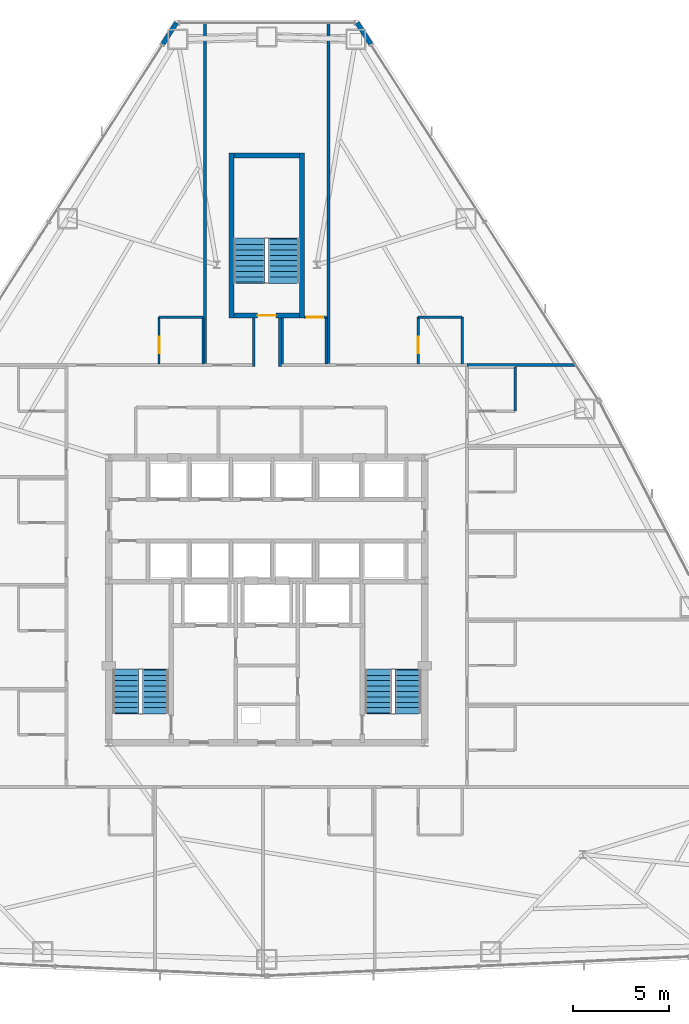
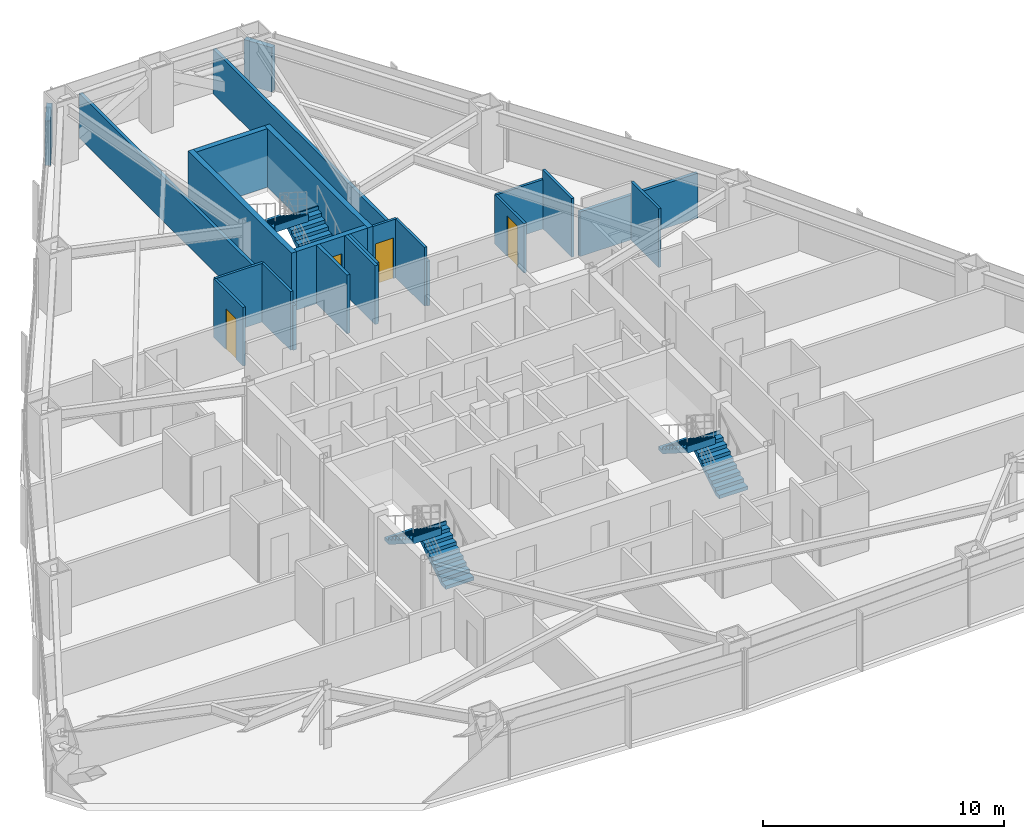
# One storey, part 12 of 13: 21 walls, 6 stair flights, 4 doors, 4 openings, 3 elements without a shape of their own.
"""IFC4 building model written with IfcOpenShell, lengths in metres."""

from ifc_helpers import new_model, si_unit, direction, frame, frame_2d, origin, place, context, subcontext, project, spatial, polyline, rectangle, outline, extrude, material, layer, layer_set, type_object, element, fill, aggregate, save


model = new_model("IFC4")

# Units and contexts
model_context = context("Model", 3, precision=1e-05, world=origin(), true_north=direction((0.0, 1.0)))
body_context = subcontext(model_context, "Body", "Model", "MODEL_VIEW")
ifc_project = project(units=[si_unit("LENGTHUNIT", "METRE"), si_unit("AREAUNIT", "SQUARE_METRE"), si_unit("VOLUMEUNIT", "CUBIC_METRE"), si_unit("PLANEANGLEUNIT", "RADIAN"), si_unit("MASSUNIT", "GRAM", prefix="KILO")], contexts=[model_context])

# Site, building, storey
site_placement = place(None, origin())
site = spatial("IfcSite", under=ifc_project, at=site_placement, CompositionType="ELEMENT")
building_placement = place(site_placement, origin())
building = spatial("IfcBuilding", under=site, at=building_placement, Name="Varakhsha Concourse Tower", CompositionType="ELEMENT")
storey_placement = place(building_placement, frame((0.0, 0.0, 86.199951171875)))
storey = spatial("IfcBuildingStorey", under=building, at=storey_placement, Name="L24", CompositionType="ELEMENT", Elevation=86.199951171875)

# Walls
ifc_material_1 = material(Name="Concrete fc 45 MPa", Category="concrete")
ifc_layer_1 = layer(ifc_material_1, 0.239990234375, Name="WL-EXT-CRN-240")
ifc_layer_set_1 = layer_set([ifc_layer_1], Name="Concrete fc 45 MPa")
wall_type_1 = type_object("IfcWallType", Name="WL-EXT-CRN-240", PredefinedType="SHEAR", material=ifc_layer_set_1)
for number, where, z_axis, x_axis, name in (
    (1, (35.313720703125, 53.76904296875, 0.0), (0.0, 0.0, 1.0), (-0.538937912301, -0.842345491283, 0.0), "L24 Wind-Corner Shoulder Wall F2"),
    (2, (45.395751953125, 52.66015625, 0.0), (0.0, 0.0, 1.0), (-0.538937912301, 0.842345491283, 0.0), "L24 Wind-Corner Shoulder Wall F9"),
):
    element("IfcWall", number, at=place(storey_placement, frame(where, z_axis=z_axis, x_axis=x_axis)), inside=storey, type_object=wall_type_1, Name=name, PredefinedType="SHEAR", context=body_context, shape_type="SweptSolid", body=[
        extrude(rectangle(XDim=1.31640625, YDim=0.239990234375, at=frame_2d((0.658203125, 0.0))), origin(), (0.0, 0.0, 1.0), 2.2529296875),
    ])
ifc_material_2 = material(Name="Acoustic Gypsum Board Partition Assembly", Category="gypsum")
ifc_layer_2 = layer(ifc_material_2, 0.1201171875, Name="WL-PART-120")
ifc_layer_set_2 = layer_set([ifc_layer_2], Name="Acoustic Gypsum Board Partition Assembly")
wall_type_2 = type_object("IfcWallType", Name="WL-PART-120", PredefinedType="PARTITIONING", material=ifc_layer_set_2)
wall_1_placement = place(storey_placement, frame((52.889892578125, 33.610107421875, 0.0), z_axis=(0.0, 0.0, 1.0), x_axis=(0.0, 1.0, 0.0)))
element("IfcWall", 3, at=wall_1_placement, inside=storey, type_object=wall_type_2, Name="L24 Wall ENSW-E-L24-H13", PredefinedType="PARTITIONING", context=body_context, shape_type="SweptSolid", body=[
    extrude(rectangle(XDim=2.27978515625, YDim=0.1201171875, at=frame_2d((1.139892578125, 0.0))), origin(), (0.0, 0.0, 1.0), 2.969970703125),
])

# Wall, opening, door
wall_2_placement = place(storey_placement, frame((34.409912109375, 36.06005859375, 0.0), z_axis=(0.0, 0.0, 1.0), x_axis=(0.0, 1.0, 0.0)))
wall_2 = element("IfcWall", 4, at=wall_2_placement, inside=storey, type_object=wall_type_2, Name="L24 Wall ENSW-W-L24-H14", PredefinedType="PARTITIONING", context=body_context, shape_type="SweptSolid", body=[
    extrude(rectangle(XDim=2.429931640625, YDim=0.1201171875, at=frame_2d((1.21484375, 0.0))), origin(), (0.0, 0.0, 1.0), 2.969970703125),
])
opening_1_placement = place(wall_2_placement, frame((0.550048828125, 0.0, 0.0)))
opening_1 = element("IfcOpeningElement", 5, at=opening_1_placement, cuts=wall_2, Name="Opening DI-01", PredefinedType="OPENING", context=body_context, shape_type="SweptSolid", body=[
    extrude(rectangle(XDim=0.85009765625, YDim=2.050048828125, at=frame_2d((0.425048828125, 1.02490234375))), frame((0.0, 0.070068359375, 0.0), z_axis=(0.0, -1.0, 0.0), x_axis=(1.0, 0.0, 0.0)), (0.0, 0.0, 1.0), 0.14013671875),
])
ifc_material_3 = material(Name="Architectural Walnut Acoustic Timber Door", Category="wood")
door_type_1 = type_object("IfcDoorType", Name="DR-INT-850", OperationType="NOTDEFINED", PredefinedType="DOOR", material=ifc_material_3)
door_1_placement = place(opening_1_placement, origin())
door_1 = element("IfcDoor", 6, at=door_1_placement, inside=storey, type_object=door_type_1, Name="L24 En-suite Bathroom Door L24-H14", OperationType="SINGLE_SWING_RIGHT", OverallHeight=2.050048828125, OverallWidth=0.85009765625, PredefinedType="DOOR", context=body_context, shape_type="SweptSolid", body=[
    extrude(rectangle(XDim=0.85009765625, YDim=2.050048828125, at=frame_2d((0.425048828125, 1.02490234375))), frame((0.0, 0.02490234375, 0.0), z_axis=(0.0, -1.0, 0.0), x_axis=(1.0, 0.0, 0.0)), (0.0, 0.0, 1.0), 0.050048828125),
])
fill(opening_1, door_1)

# Walls
wall_3_placement = place(storey_placement, frame((36.68994140625, 36.06005859375, 0.0), z_axis=(0.0, 0.0, 1.0), x_axis=(0.0, 1.0, 0.0)))
element("IfcWall", 7, at=wall_3_placement, inside=storey, type_object=wall_type_2, Name="L24 Wall ENSW-E-L24-H14", PredefinedType="PARTITIONING", context=body_context, shape_type="SweptSolid", body=[
    extrude(rectangle(XDim=2.429931640625, YDim=0.1201171875, at=frame_2d((1.21484375, 0.0))), origin(), (0.0, 0.0, 1.0), 2.969970703125),
])
wall_4_placement = place(storey_placement, frame((34.409912109375, 38.489990234375, 0.0), z_axis=(0.0, 0.0, 1.0), x_axis=(1.0, 0.0, 0.0)))
element("IfcWall", 8, at=wall_4_placement, inside=storey, type_object=wall_type_2, Name="L24 Wall ENSW-N-L24-H14", PredefinedType="PARTITIONING", context=body_context, shape_type="SweptSolid", body=[
    extrude(rectangle(XDim=2.280029296875, YDim=0.1201171875, at=frame_2d((1.14013671875, 0.0))), origin(), (0.0, 0.0, 1.0), 2.969970703125),
])
wall_5_placement = place(storey_placement, frame((40.81005859375, 36.06005859375, 0.0), z_axis=(0.0, 0.0, 1.0), x_axis=(0.0, 1.0, 0.0)))
element("IfcWall", 9, at=wall_5_placement, inside=storey, type_object=wall_type_2, Name="L24 Wall ENSW-W-L24-H15", PredefinedType="PARTITIONING", context=body_context, shape_type="SweptSolid", body=[
    extrude(rectangle(XDim=2.389892578125, YDim=0.1201171875, at=frame_2d((1.19482421875, 0.0))), origin(), (0.0, 0.0, 1.0), 2.969970703125),
])
wall_6_placement = place(storey_placement, frame((43.090087890625, 36.06005859375, 0.0), z_axis=(0.0, 0.0, 1.0), x_axis=(0.0, 1.0, 0.0)))
element("IfcWall", 10, at=wall_6_placement, inside=storey, type_object=wall_type_2, Name="L24 Wall ENSW-E-L24-H15", PredefinedType="PARTITIONING", context=body_context, shape_type="SweptSolid", body=[
    extrude(rectangle(XDim=2.429931640625, YDim=0.1201171875, at=frame_2d((1.21484375, 0.0))), origin(), (0.0, 0.0, 1.0), 2.969970703125),
])

# Wall, opening, door
wall_7_placement = place(storey_placement, frame((41.949951171875, 38.489990234375, 0.0), z_axis=(0.0, 0.0, 1.0), x_axis=(1.0, 0.0, 0.0)))
wall_7 = element("IfcWall", 11, at=wall_7_placement, inside=storey, type_object=wall_type_2, Name="L24 Wall ENSW-N-L24-H15", PredefinedType="PARTITIONING", context=body_context, shape_type="SweptSolid", body=[
    extrude(rectangle(XDim=1.14013671875, YDim=0.1201171875, at=frame_2d((0.570068359375, 0.0))), origin(), (0.0, 0.0, 1.0), 2.969970703125),
])
opening_2_placement = place(wall_7_placement, frame((0.1201171875, 0.0, 0.0)))
opening_2 = element("IfcOpeningElement", 12, at=opening_2_placement, cuts=wall_7, Name="Opening DI-01", PredefinedType="OPENING", context=body_context, shape_type="SweptSolid", body=[
    extrude(rectangle(XDim=0.85009765625, YDim=2.050048828125, at=frame_2d((0.425048828125, 1.02490234375))), frame((0.0, 0.070068359375, 0.0), z_axis=(0.0, -1.0, 0.0), x_axis=(1.0, 0.0, 0.0)), (0.0, 0.0, 1.0), 0.14013671875),
])
door_2_placement = place(opening_2_placement, origin())
door_2 = element("IfcDoor", 13, at=door_2_placement, inside=storey, type_object=door_type_1, Name="L24 En-suite Bathroom Door L24-H15", OperationType="SINGLE_SWING_RIGHT", OverallHeight=2.050048828125, OverallWidth=0.85009765625, PredefinedType="DOOR", context=body_context, shape_type="SweptSolid", body=[
    extrude(rectangle(XDim=0.85009765625, YDim=2.050048828125, at=frame_2d((0.425048828125, 1.02490234375))), frame((0.0, 0.02490234375, 0.0), z_axis=(0.0, -1.0, 0.0), x_axis=(1.0, 0.0, 0.0)), (0.0, 0.0, 1.0), 0.050048828125),
])
fill(opening_2, door_2)

wall_8_placement = place(storey_placement, frame((47.860107421875, 36.06005859375, 0.0), z_axis=(0.0, 0.0, 1.0), x_axis=(0.0, 1.0, 0.0)))
wall_8 = element("IfcWall", 14, at=wall_8_placement, inside=storey, type_object=wall_type_2, Name="L24 Wall ENSW-W-L24-H16", PredefinedType="PARTITIONING", context=body_context, shape_type="SweptSolid", body=[
    extrude(rectangle(XDim=2.429931640625, YDim=0.1201171875, at=frame_2d((1.21484375, 0.0))), origin(), (0.0, 0.0, 1.0), 2.5029296875),
])
opening_3_placement = place(wall_8_placement, frame((0.550048828125, 0.0, 0.0)))
opening_3 = element("IfcOpeningElement", 15, at=opening_3_placement, cuts=wall_8, Name="Opening DI-01", PredefinedType="OPENING", context=body_context, shape_type="SweptSolid", body=[
    extrude(rectangle(XDim=0.85009765625, YDim=2.050048828125, at=frame_2d((0.425048828125, 1.02490234375))), frame((0.0, 0.070068359375, 0.0), z_axis=(0.0, -1.0, 0.0), x_axis=(1.0, 0.0, 0.0)), (0.0, 0.0, 1.0), 0.14013671875),
])
door_3_placement = place(opening_3_placement, origin())
door_3 = element("IfcDoor", 16, at=door_3_placement, inside=storey, type_object=door_type_1, Name="L24 En-suite Bathroom Door L24-H16", OperationType="SINGLE_SWING_RIGHT", OverallHeight=2.050048828125, OverallWidth=0.85009765625, PredefinedType="DOOR", context=body_context, shape_type="SweptSolid", body=[
    extrude(rectangle(XDim=0.85009765625, YDim=2.050048828125, at=frame_2d((0.425048828125, 1.02490234375))), frame((0.0, 0.02490234375, 0.0), z_axis=(0.0, -1.0, 0.0), x_axis=(1.0, 0.0, 0.0)), (0.0, 0.0, 1.0), 0.050048828125),
])
fill(opening_3, door_3)

# Walls
wall_9_placement = place(storey_placement, frame((50.139892578125, 36.06005859375, 0.0), z_axis=(0.0, 0.0, 1.0), x_axis=(0.0, 1.0, 0.0)))
element("IfcWall", 17, at=wall_9_placement, inside=storey, type_object=wall_type_2, Name="L24 Wall ENSW-E-L24-H16", PredefinedType="PARTITIONING", context=body_context, shape_type="SweptSolid", body=[
    extrude(rectangle(XDim=2.429931640625, YDim=0.1201171875, at=frame_2d((1.21484375, 0.0))), origin(), (0.0, 0.0, 1.0), 2.969970703125),
])
wall_10_placement = place(storey_placement, frame((47.860107421875, 38.489990234375, 0.0), z_axis=(0.0, 0.0, 1.0), x_axis=(1.0, 0.0, 0.0)))
element("IfcWall", 18, at=wall_10_placement, inside=storey, type_object=wall_type_2, Name="L24 Wall ENSW-N-L24-H16", PredefinedType="PARTITIONING", context=body_context, shape_type="SweptSolid", body=[
    extrude(rectangle(XDim=2.27978515625, YDim=0.1201171875, at=frame_2d((1.139892578125, 0.0))), origin(), (0.0, 0.0, 1.0), 2.5029296875),
])
ifc_material_4 = material(Name="Fire-Rated Type X Gypsum Partition Assembly", Category="gypsum")
ifc_layer_3 = layer(ifc_material_4, 0.14990234375, Name="WL-PART-150")
ifc_layer_set_3 = layer_set([ifc_layer_3], Name="Fire-Rated Type X Gypsum Partition Assembly")
wall_type_3 = type_object("IfcWallType", Name="WL-PART-150", PredefinedType="PARTITIONING", material=ifc_layer_set_3)
wall_11_placement = place(storey_placement, frame((50.39990234375, 36.0, 0.0), z_axis=(0.0, 0.0, 1.0), x_axis=(1.0, 0.0, 0.0)))
element("IfcWall", 19, at=wall_11_placement, inside=storey, type_object=wall_type_3, Name="L24 Wall HDIV-EBN-L24", PredefinedType="PARTITIONING", context=body_context, shape_type="SweptSolid", body=[
    extrude(rectangle(XDim=5.64501953125, YDim=0.14990234375, at=frame_2d((2.822509765625, 0.0))), origin(), (0.0, 0.0, 1.0), 2.258056640625),
])
for number, where, z_axis, x_axis, name in (
    (20, (36.800048828125, 36.0, 0.0), (0.0, 0.0, 1.0), (0.0, 1.0, 0.0), "L24 Wall HDIV-N1-L24"),
    (21, (43.199951171875, 36.0, 0.0), (0.0, 0.0, 1.0), (0.0, 1.0, 0.0), "L24 Wall HDIV-N2-L24"),
):
    element("IfcWall", number, at=place(storey_placement, frame(where, z_axis=z_axis, x_axis=x_axis)), inside=storey, type_object=wall_type_3, Name=name, PredefinedType="PARTITIONING", context=body_context, shape_type="SweptSolid", body=[
        extrude(rectangle(XDim=17.745849609375, YDim=0.14990234375, at=frame_2d((8.873046875, 0.0))), origin(), (0.0, 0.0, 1.0), 2.258056640625),
    ])
for number, where, z_axis, x_axis, name in (
    (22, (39.324951171875, 35.925048828125, 0.0), (0.0, 0.0, 1.0), (0.0, 1.0, 0.0), "L24 Wall STUB-W-L24"),
    (23, (40.675048828125, 35.925048828125, 0.0), (0.0, 0.0, 1.0), (0.0, 1.0, 0.0), "L24 Wall STUB-E-L24"),
):
    element("IfcWall", number, at=place(storey_placement, frame(where, z_axis=z_axis, x_axis=x_axis)), inside=storey, type_object=wall_type_3, Name=name, PredefinedType="PARTITIONING", context=body_context, shape_type="SweptSolid", body=[
        extrude(rectangle(XDim=2.52490234375, YDim=0.14990234375, at=frame_2d((1.262451171875, 0.0))), origin(), (0.0, 0.0, 1.0), 2.969970703125),
    ])
ifc_layer_4 = layer(ifc_material_1, 0.25, Name="WL-STAIR-250")
ifc_layer_set_4 = layer_set([ifc_layer_4], Name="Concrete fc 45 MPa")
wall_type_4 = type_object("IfcWallType", Name="WL-STAIR-250", PredefinedType="SHEAR", material=ifc_layer_set_4)
for number, where, z_axis, x_axis, name in (
    (24, (38.175048828125, 38.449951171875, 0.0), (0.0, 0.0, 1.0), (0.0, 1.0, 0.0), "L24 Wall SWALL-ST5-W-L24"),
    (25, (41.824951171875, 38.449951171875, 0.0), (0.0, 0.0, 1.0), (0.0, 1.0, 0.0), "L24 Wall SWALL-ST5-E-L24"),
):
    element("IfcWall", number, at=place(storey_placement, frame(where, z_axis=z_axis, x_axis=x_axis)), inside=storey, type_object=wall_type_4, Name=name, PredefinedType="SHEAR", context=body_context, shape_type="SweptSolid", body=[
        extrude(rectangle(XDim=8.550048828125, YDim=0.25, at=frame_2d((4.27490234375, 0.0))), origin(), (0.0, 0.0, 1.0), 2.969970703125),
    ])

# Wall, opening, door
wall_12_placement = place(storey_placement, frame((38.300048828125, 38.574951171875, 0.0), z_axis=(0.0, 0.0, 1.0), x_axis=(1.0, 0.0, 0.0)))
wall_12 = element("IfcWall", 26, at=wall_12_placement, inside=storey, type_object=wall_type_4, Name="L24 Wall SWALL-ST5-S-L24", PredefinedType="SHEAR", context=body_context, shape_type="SweptSolid", body=[
    extrude(rectangle(XDim=3.39990234375, YDim=0.25, at=frame_2d((1.699951171875, 0.0))), origin(), (0.0, 0.0, 1.0), 2.969970703125),
])
opening_4_placement = place(wall_12_placement, frame((1.22509765625, 0.0, 0.0)))
opening_4 = element("IfcOpeningElement", 27, at=opening_4_placement, cuts=wall_12, Name="Opening DF-03", PredefinedType="OPENING", context=body_context, shape_type="SweptSolid", body=[
    extrude(rectangle(XDim=0.949951171875, YDim=2.10009765625, at=frame_2d((0.47509765625, 1.050048828125))), frame((0.0, 0.135009765625, 0.0), z_axis=(0.0, -1.0, 0.0), x_axis=(1.0, 0.0, 0.0)), (0.0, 0.0, 1.0), 0.27001953125),
])
ifc_material_5 = material(Name="Hollow Galvanised Steel Fire Door Assembly", Category="steel")
door_type_2 = type_object("IfcDoorType", Name="DR-FD90-950", OperationType="NOTDEFINED", PredefinedType="DOOR", material=ifc_material_5)
door_4_placement = place(opening_4_placement, origin())
door_4 = element("IfcDoor", 28, at=door_4_placement, inside=storey, type_object=door_type_2, Name="L24 Stair ST5 Fire Door", OperationType="SINGLE_SWING_RIGHT", OverallHeight=2.10009765625, OverallWidth=0.949951171875, PredefinedType="DOOR", context=body_context, shape_type="SweptSolid", body=[
    extrude(rectangle(XDim=0.949951171875, YDim=2.10009765625, at=frame_2d((0.47509765625, 1.050048828125))), frame((0.0, 0.02490234375, 0.0), z_axis=(0.0, -1.0, 0.0), x_axis=(1.0, 0.0, 0.0)), (0.0, 0.0, 1.0), 0.050048828125),
])
fill(opening_4, door_4)

# Wall
wall_13_placement = place(storey_placement, frame((38.300048828125, 46.875, 0.0), z_axis=(0.0, 0.0, 1.0), x_axis=(1.0, 0.0, 0.0)))
element("IfcWall", 29, at=wall_13_placement, inside=storey, type_object=wall_type_4, Name="L24 Wall SWALL-ST5-N-L24", PredefinedType="SHEAR", context=body_context, shape_type="SweptSolid", body=[
    extrude(rectangle(XDim=3.39990234375, YDim=0.25, at=frame_2d((1.699951171875, 0.0))), origin(), (0.0, 0.0, 1.0), 2.969970703125),
])

# Stair, stair flights
stair_type_1 = type_object("IfcStairType", Name="ST-DOGLEG-1360", PredefinedType="HALF_TURN_STAIR", material=ifc_material_1)
stair_1_placement = place(storey_placement, origin())
stair_1 = element("IfcStair", 30, at=stair_1_placement, inside=storey, type_object=stair_type_1, Name="L24 Protected Exit Stair ST1", PredefinedType="HALF_TURN_STAIR")
stair_flight_type_1 = type_object("IfcStairFlightType", Name="STF-1360-R1778", PredefinedType="STRAIGHT", material=ifc_material_1)
stair_flight_1_placement = place(storey_placement, frame((34.239990234375, 17.93994140625, 0.0), z_axis=(0.0, 0.0, 1.0), x_axis=(0.0, 1.0, 0.0)))
stair_flight_1 = element("IfcStairFlight", 31, at=stair_flight_1_placement, type_object=stair_flight_type_1, Name="ST1 flight 1", NumberOfRisers=9, NumberOfTreads=8, PredefinedType="STRAIGHT", RiserHeight=0.177777778, TreadLength=0.28, context=body_context, shape_type="SweptSolid", body=[
    extrude(outline(polyline([(-0.06005859375, 0.0), (-0.06005859375, 0.177734375), (0.0, 0.177734375), (0.280029296875, 0.177734375), (0.280029296875, 0.35546875), (0.56005859375, 0.35546875), (0.56005859375, 0.533447265625), (0.840087890625, 0.533447265625), (0.840087890625, 0.711181640625), (1.1201171875, 0.711181640625), (1.1201171875, 0.888916015625), (1.39990234375, 0.888916015625), (1.39990234375, 1.066650390625), (1.679931640625, 1.066650390625), (1.679931640625, 1.244384765625), (1.9599609375, 1.244384765625), (1.9599609375, 1.422119140625), (2.239990234375, 1.422119140625), (2.239990234375, 1.60009765625), (2.300048828125, 1.60009765625), (2.300048828125, 1.24462890625), (2.239990234375, 1.24462890625), (0.27978515625, 0.0), (-0.06005859375, 0.0)])), frame((0.0, 0.68017578125, 0.0), z_axis=(0.0, -1.0, 0.0), x_axis=(1.0, 0.0, 0.0)), (0.0, 0.0, 1.0), 1.360107421875),
])
stair_flight_2_placement = place(storey_placement, frame((32.679931640625, 20.179931640625, 1.60009765625), z_axis=(0.0, 0.0, 1.0), x_axis=(0.0, -1.0, 0.0)))
stair_flight_2 = element("IfcStairFlight", 32, at=stair_flight_2_placement, type_object=stair_flight_type_1, Name="ST1 flight 2", NumberOfRisers=9, NumberOfTreads=8, PredefinedType="STRAIGHT", RiserHeight=0.177777778, TreadLength=0.28, context=body_context, shape_type="SweptSolid", body=[
    extrude(outline(polyline([(-0.06005859375, 0.0), (-0.06005859375, 0.177734375), (0.0, 0.177734375), (0.280029296875, 0.177734375), (0.280029296875, 0.35546875), (0.56005859375, 0.35546875), (0.56005859375, 0.533447265625), (0.840087890625, 0.533447265625), (0.840087890625, 0.711181640625), (1.1201171875, 0.711181640625), (1.1201171875, 0.888916015625), (1.39990234375, 0.888916015625), (1.39990234375, 1.066650390625), (1.679931640625, 1.066650390625), (1.679931640625, 1.244384765625), (1.9599609375, 1.244384765625), (1.9599609375, 1.422119140625), (2.239990234375, 1.422119140625), (2.239990234375, 1.60009765625), (2.300048828125, 1.60009765625), (2.300048828125, 1.24462890625), (2.239990234375, 1.24462890625), (0.27978515625, 0.0), (-0.06005859375, 0.0)])), frame((0.0, 0.68017578125, 0.0), z_axis=(0.0, -1.0, 0.0), x_axis=(1.0, 0.0, 0.0)), (0.0, 0.0, 1.0), 1.360107421875),
])
aggregate(stair_1, [stair_flight_1, stair_flight_2])

stair_2_placement = place(storey_placement, origin())
stair_2 = element("IfcStair", 33, at=stair_2_placement, inside=storey, type_object=stair_type_1, Name="L24 Protected Exit Stair ST2", PredefinedType="HALF_TURN_STAIR")
stair_flight_3_placement = place(storey_placement, frame((47.340087890625, 17.93994140625, 0.0), z_axis=(0.0, 0.0, 1.0), x_axis=(0.0, 1.0, 0.0)))
stair_flight_3 = element("IfcStairFlight", 34, at=stair_flight_3_placement, type_object=stair_flight_type_1, Name="ST2 flight 1", NumberOfRisers=9, NumberOfTreads=8, PredefinedType="STRAIGHT", RiserHeight=0.177777778, TreadLength=0.28, context=body_context, shape_type="SweptSolid", body=[
    extrude(outline(polyline([(-0.06005859375, 0.0), (-0.06005859375, 0.177734375), (0.0, 0.177734375), (0.280029296875, 0.177734375), (0.280029296875, 0.35546875), (0.56005859375, 0.35546875), (0.56005859375, 0.533447265625), (0.840087890625, 0.533447265625), (0.840087890625, 0.711181640625), (1.1201171875, 0.711181640625), (1.1201171875, 0.888916015625), (1.39990234375, 0.888916015625), (1.39990234375, 1.066650390625), (1.679931640625, 1.066650390625), (1.679931640625, 1.244384765625), (1.9599609375, 1.244384765625), (1.9599609375, 1.422119140625), (2.239990234375, 1.422119140625), (2.239990234375, 1.60009765625), (2.300048828125, 1.60009765625), (2.300048828125, 1.24462890625), (2.239990234375, 1.24462890625), (0.27978515625, 0.0), (-0.06005859375, 0.0)])), frame((0.0, 0.68017578125, 0.0), z_axis=(0.0, -1.0, 0.0), x_axis=(1.0, 0.0, 0.0)), (0.0, 0.0, 1.0), 1.360107421875),
])
stair_flight_4_placement = place(storey_placement, frame((45.780029296875, 20.179931640625, 1.60009765625), z_axis=(0.0, 0.0, 1.0), x_axis=(0.0, -1.0, 0.0)))
stair_flight_4 = element("IfcStairFlight", 35, at=stair_flight_4_placement, type_object=stair_flight_type_1, Name="ST2 flight 2", NumberOfRisers=9, NumberOfTreads=8, PredefinedType="STRAIGHT", RiserHeight=0.177777778, TreadLength=0.28, context=body_context, shape_type="SweptSolid", body=[
    extrude(outline(polyline([(-0.06005859375, 0.0), (-0.06005859375, 0.177734375), (0.0, 0.177734375), (0.280029296875, 0.177734375), (0.280029296875, 0.35546875), (0.56005859375, 0.35546875), (0.56005859375, 0.533447265625), (0.840087890625, 0.533447265625), (0.840087890625, 0.711181640625), (1.1201171875, 0.711181640625), (1.1201171875, 0.888916015625), (1.39990234375, 0.888916015625), (1.39990234375, 1.066650390625), (1.679931640625, 1.066650390625), (1.679931640625, 1.244384765625), (1.9599609375, 1.244384765625), (1.9599609375, 1.422119140625), (2.239990234375, 1.422119140625), (2.239990234375, 1.60009765625), (2.300048828125, 1.60009765625), (2.300048828125, 1.24462890625), (2.239990234375, 1.24462890625), (0.27978515625, 0.0), (-0.06005859375, 0.0)])), frame((0.0, 0.68017578125, 0.0), z_axis=(0.0, -1.0, 0.0), x_axis=(1.0, 0.0, 0.0)), (0.0, 0.0, 1.0), 1.360107421875),
])
aggregate(stair_2, [stair_flight_3, stair_flight_4])

stair_type_2 = type_object("IfcStairType", Name="ST-DOGLEG-1600", PredefinedType="HALF_TURN_STAIR", material=ifc_material_1)
stair_3_placement = place(storey_placement, origin())
stair_3 = element("IfcStair", 36, at=stair_3_placement, inside=storey, type_object=stair_type_2, Name="L24 Protected Exit Stair ST5", PredefinedType="HALF_TURN_STAIR")
stair_flight_type_2 = type_object("IfcStairFlightType", Name="STF-1600-R1778", PredefinedType="STRAIGHT", material=ifc_material_1)
stair_flight_5_placement = place(storey_placement, frame((40.89990234375, 40.300048828125, 0.0), z_axis=(0.0, 0.0, 1.0), x_axis=(0.0, 1.0, 0.0)))
stair_flight_5 = element("IfcStairFlight", 37, at=stair_flight_5_placement, type_object=stair_flight_type_2, Name="ST5 flight 1", NumberOfRisers=9, NumberOfTreads=8, PredefinedType="STRAIGHT", RiserHeight=0.177777778, TreadLength=0.28, context=body_context, shape_type="SweptSolid", body=[
    extrude(outline(polyline([(-0.06005859375, 0.0), (-0.06005859375, 0.177734375), (0.0, 0.177734375), (0.280029296875, 0.177734375), (0.280029296875, 0.35546875), (0.56005859375, 0.35546875), (0.56005859375, 0.533447265625), (0.840087890625, 0.533447265625), (0.840087890625, 0.711181640625), (1.1201171875, 0.711181640625), (1.1201171875, 0.888916015625), (1.39990234375, 0.888916015625), (1.39990234375, 1.066650390625), (1.679931640625, 1.066650390625), (1.679931640625, 1.244384765625), (1.9599609375, 1.244384765625), (1.9599609375, 1.422119140625), (2.239990234375, 1.422119140625), (2.239990234375, 1.60009765625), (2.300048828125, 1.60009765625), (2.300048828125, 1.24462890625), (2.239990234375, 1.24462890625), (0.27978515625, 0.0), (-0.06005859375, 0.0)])), frame((0.0, 0.800048828125, 0.0), z_axis=(0.0, -1.0, 0.0), x_axis=(1.0, 0.0, 0.0)), (0.0, 0.0, 1.0), 1.60009765625),
])
stair_flight_6_placement = place(storey_placement, frame((39.10009765625, 42.5400390625, 1.60009765625), z_axis=(0.0, 0.0, 1.0), x_axis=(0.0, -1.0, 0.0)))
stair_flight_6 = element("IfcStairFlight", 38, at=stair_flight_6_placement, type_object=stair_flight_type_2, Name="ST5 flight 2", NumberOfRisers=9, NumberOfTreads=8, PredefinedType="STRAIGHT", RiserHeight=0.177777778, TreadLength=0.28, context=body_context, shape_type="SweptSolid", body=[
    extrude(outline(polyline([(-0.06005859375, 0.0), (-0.06005859375, 0.177734375), (0.0, 0.177734375), (0.280029296875, 0.177734375), (0.280029296875, 0.35546875), (0.56005859375, 0.35546875), (0.56005859375, 0.533447265625), (0.840087890625, 0.533447265625), (0.840087890625, 0.711181640625), (1.1201171875, 0.711181640625), (1.1201171875, 0.888916015625), (1.39990234375, 0.888916015625), (1.39990234375, 1.066650390625), (1.679931640625, 1.066650390625), (1.679931640625, 1.244384765625), (1.9599609375, 1.244384765625), (1.9599609375, 1.422119140625), (2.239990234375, 1.422119140625), (2.239990234375, 1.60009765625), (2.300048828125, 1.60009765625), (2.300048828125, 1.24462890625), (2.239990234375, 1.24462890625), (0.27978515625, 0.0), (-0.06005859375, 0.0)])), frame((0.0, 0.800048828125, 0.0), z_axis=(0.0, -1.0, 0.0), x_axis=(1.0, 0.0, 0.0)), (0.0, 0.0, 1.0), 1.60009765625),
])
aggregate(stair_3, [stair_flight_5, stair_flight_6])

save(model, "model.ifc")
